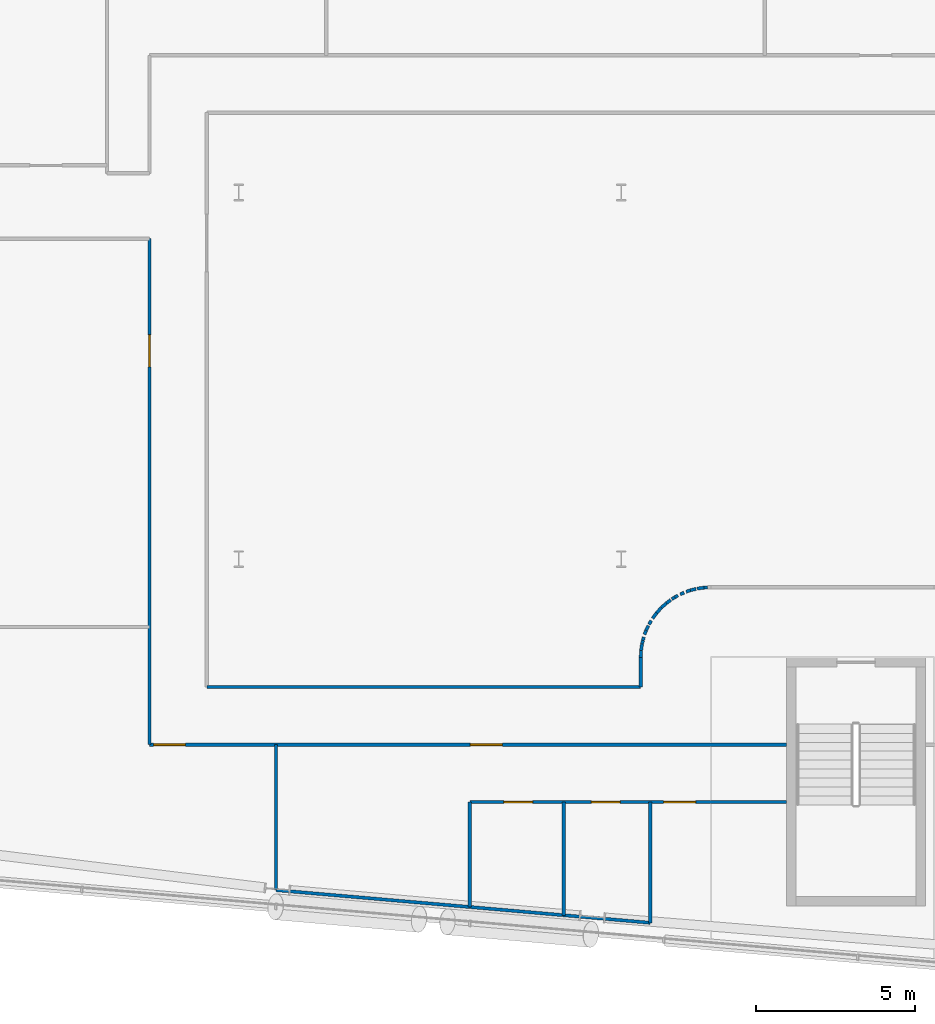
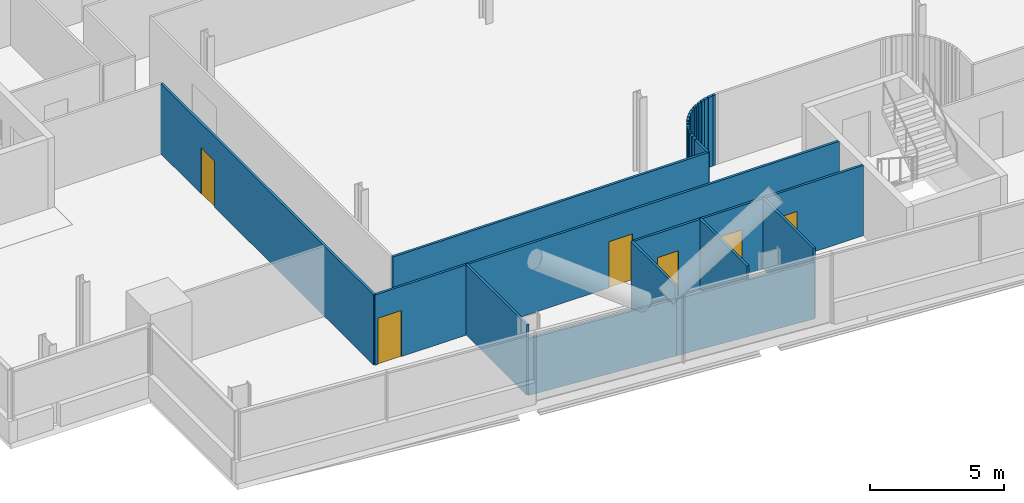
# One storey, part 14 of 31: 29 walls, 6 doors, 6 openings.
"""IFC4 building model written with IfcOpenShell, lengths in metres."""

from ifc_helpers import new_model, si_unit, direction, frame, frame_2d, origin, place, context, subcontext, project, spatial, rectangle, extrude, material, layer, layer_set, type_object, element, fill, save


model = new_model("IFC4")

# Units and contexts
model_context = context("Model", 3, precision=1e-05, world=origin(), true_north=direction((0.0, 1.0)))
body_context = subcontext(model_context, "Body", "Model", "MODEL_VIEW")
ifc_project = project(units=[si_unit("LENGTHUNIT", "METRE"), si_unit("AREAUNIT", "SQUARE_METRE"), si_unit("VOLUMEUNIT", "CUBIC_METRE"), si_unit("PLANEANGLEUNIT", "RADIAN"), si_unit("MASSUNIT", "GRAM", prefix="KILO")], contexts=[model_context])

# Site, building, storey
site_placement = place(None, origin())
site = spatial("IfcSite", under=ifc_project, at=site_placement, CompositionType="ELEMENT")
building_placement = place(site_placement, origin())
building = spatial("IfcBuilding", under=site, at=building_placement, Name="Wharfspan Tower", CompositionType="ELEMENT")
storey_placement = place(building_placement, frame((0.0, 0.0, 103.899902)))
storey = spatial("IfcBuildingStorey", under=building, at=storey_placement, Name="L23", CompositionType="ELEMENT", Elevation=103.899902)

# Wall, opening, door
ifc_material_1 = material(Name="Gypsum board on steel studs", Category="steel")
ifc_layer_1 = layer(ifc_material_1, 0.100098)
ifc_layer_set_1 = layer_set([ifc_layer_1], Name="Gypsum board on steel studs")
wall_type_1 = type_object("IfcWallType", Name="Compartment wall 100 EI 60", PredefinedType="PARTITIONING", material=ifc_layer_set_1)
wall_1_placement = place(storey_placement, frame((21.199951, 5.679932, 0.0), z_axis=(0.0, 0.0, 1.0), x_axis=(0.0, 1.0, 0.0)))
wall_1 = element("IfcWall", 1, at=wall_1_placement, inside=storey, type_object=wall_type_1, Name="Partition L23.w010", PredefinedType="PARTITIONING", context=body_context, shape_type="SweptSolid", body=[
    extrude(rectangle(XDim=15.870117, YDim=0.100098, at=frame_2d((7.935059, 0.0))), origin(), (0.0, 0.0, 1.0), 3.200195),
])
opening_1_placement = place(wall_1_placement, frame((11.850098, 0.0, 0.0)))
opening_1 = element("IfcOpeningElement", 2, at=opening_1_placement, cuts=wall_1, Name="Opening B2-11", PredefinedType="OPENING", context=body_context, shape_type="SweptSolid", body=[
    extrude(rectangle(XDim=1.0, YDim=2.100098, at=frame_2d((0.5, 1.050049))), frame((0.0, 0.060059, 0.0), z_axis=(0.0, -1.0, 0.0), x_axis=(1.0, 0.0, 0.0)), (0.0, 0.0, 1.0), 0.120117),
])
ifc_material_2 = material(Name="Fire-rated timber door leaf in steel frame", Category="steel")
door_type_1 = type_object("IfcDoorType", Name="Door 1000 FD30S Right", OperationType="SINGLE_SWING_RIGHT", PredefinedType="DOOR", material=ifc_material_2)
door_1_placement = place(opening_1_placement, origin())
door_1 = element("IfcDoor", 3, at=door_1_placement, inside=storey, type_object=door_type_1, Name="Door B2-11", OperationType="SINGLE_SWING_RIGHT", OverallHeight=2.100098, OverallWidth=1.0, PredefinedType="DOOR", context=body_context, shape_type="SweptSolid", body=[
    extrude(rectangle(XDim=1.0, YDim=2.100098, at=frame_2d((0.5, 1.050049))), frame((0.0, 0.024902, 0.0), z_axis=(0.0, -1.0, 0.0), x_axis=(1.0, 0.0, 0.0)), (0.0, 0.0, 1.0), 0.050049),
])
fill(opening_1, door_1)

# Wall, openings, doors
wall_2_placement = place(storey_placement, frame((21.199951, 5.679932, 0.0), z_axis=(0.0, 0.0, 1.0), x_axis=(1.0, 0.0, 0.0)))
wall_2 = element("IfcWall", 4, at=wall_2_placement, inside=storey, type_object=wall_type_1, Name="Partition L23.w011", PredefinedType="PARTITIONING", context=body_context, shape_type="SweptSolid", body=[
    extrude(rectangle(XDim=19.985352, YDim=0.100098, at=frame_2d((9.992676, 0.0))), origin(), (0.0, 0.0, 1.0), 3.200195),
])
opening_2_placement = place(wall_2_placement, frame((0.129883, 0.0, 0.0)))
opening_2 = element("IfcOpeningElement", 5, at=opening_2_placement, cuts=wall_2, Name="Opening B2-04", PredefinedType="OPENING", context=body_context, shape_type="SweptSolid", body=[
    extrude(rectangle(XDim=1.0, YDim=2.100098, at=frame_2d((0.5, 1.050049))), frame((0.0, 0.060059, 0.0), z_axis=(0.0, -1.0, 0.0), x_axis=(1.0, 0.0, 0.0)), (0.0, 0.0, 1.0), 0.120117),
])
opening_3_placement = place(wall_2_placement, frame((10.070068, 0.0, 0.0)))
opening_3 = element("IfcOpeningElement", 6, at=opening_3_placement, cuts=wall_2, Name="Opening B2-05", PredefinedType="OPENING", context=body_context, shape_type="SweptSolid", body=[
    extrude(rectangle(XDim=1.0, YDim=2.100098, at=frame_2d((0.5, 1.050049))), frame((0.0, 0.060059, 0.0), z_axis=(0.0, -1.0, 0.0), x_axis=(1.0, 0.0, 0.0)), (0.0, 0.0, 1.0), 0.120117),
])
door_type_2 = type_object("IfcDoorType", Name="Door 1000 FD30S Left", OperationType="SINGLE_SWING_LEFT", PredefinedType="DOOR", material=ifc_material_2)
door_2_placement = place(opening_2_placement, origin())
door_2 = element("IfcDoor", 7, at=door_2_placement, inside=storey, type_object=door_type_2, Name="Door B2-04", OperationType="SINGLE_SWING_LEFT", OverallHeight=2.100098, OverallWidth=1.0, PredefinedType="DOOR", context=body_context, shape_type="SweptSolid", body=[
    extrude(rectangle(XDim=1.0, YDim=2.100098, at=frame_2d((0.5, 1.050049))), frame((0.0, 0.024902, 0.0), z_axis=(0.0, -1.0, 0.0), x_axis=(1.0, 0.0, 0.0)), (0.0, 0.0, 1.0), 0.050049),
])
fill(opening_2, door_2)
door_3_placement = place(opening_3_placement, origin())
door_3 = element("IfcDoor", 8, at=door_3_placement, inside=storey, type_object=door_type_1, Name="Door B2-05", OperationType="SINGLE_SWING_RIGHT", OverallHeight=2.100098, OverallWidth=1.0, PredefinedType="DOOR", context=body_context, shape_type="SweptSolid", body=[
    extrude(rectangle(XDim=1.0, YDim=2.100098, at=frame_2d((0.5, 1.050049))), frame((0.0, 0.024902, 0.0), z_axis=(0.0, -1.0, 0.0), x_axis=(1.0, 0.0, 0.0)), (0.0, 0.0, 1.0), 0.050049),
])
fill(opening_3, door_3)

# Walls
wall_3_placement = place(storey_placement, frame((23.0, 7.485107, 0.0), z_axis=(0.0, 0.0, 1.0), x_axis=(1.0, 0.0, 0.0)))
element("IfcWall", 9, at=wall_3_placement, inside=storey, type_object=wall_type_1, Name="Partition L23.w015", PredefinedType="PARTITIONING", context=body_context, shape_type="SweptSolid", body=[
    extrude(rectangle(XDim=13.610107, YDim=0.100098, at=frame_2d((6.805176, 0.0))), origin(), (0.0, 0.0, 1.0), 3.200195),
])
wall_4_placement = place(storey_placement, frame((25.169922, 1.120117, 0.0), z_axis=(0.0, 0.0, 1.0), x_axis=(0.0, 1.0, 0.0)))
element("IfcWall", 10, at=wall_4_placement, inside=storey, type_object=wall_type_1, Name="Partition L23.w017", PredefinedType="PARTITIONING", context=body_context, shape_type="SweptSolid", body=[
    extrude(rectangle(XDim=4.559814, YDim=0.100098, at=frame_2d((2.279785, 0.0))), origin(), (0.0, 0.0, 1.0), 3.200195),
])
wall_5_placement = place(storey_placement, frame((36.610107, 7.485107, 0.0), z_axis=(0.0, 0.0, 1.0), x_axis=(0.0, 1.0, 0.0)))
element("IfcWall", 11, at=wall_5_placement, inside=storey, type_object=wall_type_1, Name="Partition L23.w024", PredefinedType="PARTITIONING", context=body_context, shape_type="SweptSolid", body=[
    extrude(rectangle(XDim=0.929932, YDim=0.100098, at=frame_2d((0.464844, 0.0))), origin(), (0.0, 0.0, 1.0), 3.200195),
])
wall_6_placement = place(storey_placement, frame((36.610107, 8.415039, 0.0), z_axis=(0.0, 0.0, 1.0), x_axis=(0.045458, 0.998967, 0.0)))
element("IfcWall", 12, at=wall_6_placement, inside=storey, type_object=wall_type_1, Name="Partition L23.w025", PredefinedType="PARTITIONING", context=body_context, shape_type="SweptSolid", body=[
    extrude(rectangle(XDim=0.220215, YDim=0.100098, at=frame_2d((0.110107, 0.0))), origin(), (0.0, 0.0, 1.0), 3.200195),
])
wall_7_placement = place(storey_placement, frame((36.620117, 8.63501, 0.0), z_axis=(0.0, 0.0, 1.0), x_axis=(0.140454, 0.990086, 0.0)))
element("IfcWall", 13, at=wall_7_placement, inside=storey, type_object=wall_type_1, Name="Partition L23.w026", PredefinedType="PARTITIONING", context=body_context, shape_type="SweptSolid", body=[
    extrude(rectangle(XDim=0.212158, YDim=0.100098, at=frame_2d((0.105957, 0.0))), origin(), (0.0, 0.0, 1.0), 3.200195),
])
wall_8_placement = place(storey_placement, frame((36.649902, 8.844971, 0.0), z_axis=(0.0, 0.0, 1.0), x_axis=(0.275016, 0.961438, 0.0)))
element("IfcWall", 14, at=wall_8_placement, inside=storey, type_object=wall_type_1, Name="Partition L23.w027", PredefinedType="PARTITIONING", context=body_context, shape_type="SweptSolid", body=[
    extrude(rectangle(XDim=0.109131, YDim=0.100098, at=frame_2d((0.054688, 0.0))), origin(), (0.0, 0.0, 1.0), 3.200195),
])
wall_9_placement = place(storey_placement, frame((36.679932, 8.949951, 0.0), z_axis=(0.0, 0.0, 1.0), x_axis=(0.232946, 0.972493, 0.0)))
element("IfcWall", 15, at=wall_9_placement, inside=storey, type_object=wall_type_1, Name="Partition L23.w028", PredefinedType="PARTITIONING", context=body_context, shape_type="SweptSolid", body=[
    extrude(rectangle(XDim=0.10791, YDim=0.100098, at=frame_2d((0.053955, 0.0))), origin(), (0.0, 0.0, 1.0), 3.200195),
])
wall_10_placement = place(storey_placement, frame((36.72998, 9.13501, 0.0), z_axis=(0.0, 0.0, 1.0), x_axis=(0.3382, 0.941078, 0.0)))
element("IfcWall", 16, at=wall_10_placement, inside=storey, type_object=wall_type_1, Name="Partition L23.w029", PredefinedType="PARTITIONING", context=body_context, shape_type="SweptSolid", body=[
    extrude(rectangle(XDim=0.132812, YDim=0.100098, at=frame_2d((0.066406, 0.0))), origin(), (0.0, 0.0, 1.0), 3.200195),
])
wall_11_placement = place(storey_placement, frame((36.774902, 9.26001, 0.0), z_axis=(0.0, 0.0, 1.0), x_axis=(0.44838, 0.893848, 0.0)))
element("IfcWall", 17, at=wall_11_placement, inside=storey, type_object=wall_type_1, Name="Partition L23.w030", PredefinedType="PARTITIONING", context=body_context, shape_type="SweptSolid", body=[
    extrude(rectangle(XDim=0.167725, YDim=0.100098, at=frame_2d((0.083984, 0.0))), origin(), (0.0, 0.0, 1.0), 3.200195),
])
wall_12_placement = place(storey_placement, frame((36.870117, 9.455078, 0.0), z_axis=(0.0, 0.0, 1.0), x_axis=(0.519025, 0.854758, 0.0)))
element("IfcWall", 18, at=wall_12_placement, inside=storey, type_object=wall_type_1, Name="Partition L23.w031", PredefinedType="PARTITIONING", context=body_context, shape_type="SweptSolid", body=[
    extrude(rectangle(XDim=0.134521, YDim=0.100098, at=frame_2d((0.067383, 0.0))), origin(), (0.0, 0.0, 1.0), 3.200195),
])
wall_13_placement = place(storey_placement, frame((36.97998, 9.639893, 0.0), z_axis=(0.0, 0.0, 1.0), x_axis=(0.596595, 0.802549, 0.0)))
element("IfcWall", 19, at=wall_13_placement, inside=storey, type_object=wall_type_1, Name="Partition L23.w034", PredefinedType="PARTITIONING", context=body_context, shape_type="SweptSolid", body=[
    extrude(rectangle(XDim=0.218018, YDim=0.100098, at=frame_2d((0.108887, 0.0))), origin(), (0.0, 0.0, 1.0), 3.200195),
])
wall_14_placement = place(storey_placement, frame((37.110107, 9.814941, 0.0), z_axis=(0.0, 0.0, 1.0), x_axis=(0.670589, 0.741832, 0.0)))
element("IfcWall", 20, at=wall_14_placement, inside=storey, type_object=wall_type_1, Name="Partition L23.w035", PredefinedType="PARTITIONING", context=body_context, shape_type="SweptSolid", body=[
    extrude(rectangle(XDim=0.21582, YDim=0.100098, at=frame_2d((0.10791, 0.0))), origin(), (0.0, 0.0, 1.0), 3.200195),
])
wall_15_placement = place(storey_placement, frame((37.254883, 9.975098, 0.0), z_axis=(0.0, 0.0, 1.0), x_axis=(0.741269, 0.67121, 0.0)))
element("IfcWall", 21, at=wall_15_placement, inside=storey, type_object=wall_type_1, Name="Partition L23.w036", PredefinedType="PARTITIONING", context=body_context, shape_type="SweptSolid", body=[
    extrude(rectangle(XDim=0.216064, YDim=0.100098, at=frame_2d((0.10791, 0.0))), origin(), (0.0, 0.0, 1.0), 3.200195),
])
wall_16_placement = place(storey_placement, frame((37.415039, 10.120117, 0.0), z_axis=(0.0, 0.0, 1.0), x_axis=(0.803993, 0.594635, 0.0)))
element("IfcWall", 22, at=wall_16_placement, inside=storey, type_object=wall_type_1, Name="Partition L23.w037", PredefinedType="PARTITIONING", context=body_context, shape_type="SweptSolid", body=[
    extrude(rectangle(XDim=0.167969, YDim=0.100098, at=frame_2d((0.083984, 0.0))), origin(), (0.0, 0.0, 1.0), 3.200195),
])
wall_17_placement = place(storey_placement, frame((37.584961, 10.245117, 0.0), z_axis=(0.0, 0.0, 1.0), x_axis=(0.846156, 0.532926, 0.0)))
element("IfcWall", 23, at=wall_17_placement, inside=storey, type_object=wall_type_1, Name="Partition L23.w038", PredefinedType="PARTITIONING", context=body_context, shape_type="SweptSolid", body=[
    extrude(rectangle(XDim=0.112305, YDim=0.100098, at=frame_2d((0.056152, 0.0))), origin(), (0.0, 0.0, 1.0), 3.200195),
])
wall_18_placement = place(storey_placement, frame((37.679932, 10.304932, 0.0), z_axis=(0.0, 0.0, 1.0), x_axis=(0.864661, 0.502348, 0.0)))
element("IfcWall", 24, at=wall_18_placement, inside=storey, type_object=wall_type_1, Name="Partition L23.w039", PredefinedType="PARTITIONING", context=body_context, shape_type="SweptSolid", body=[
    extrude(rectangle(XDim=0.109863, YDim=0.100098, at=frame_2d((0.054932, 0.0))), origin(), (0.0, 0.0, 1.0), 3.200195),
])
wall_19_placement = place(storey_placement, frame((37.850098, 10.39502, 0.0), z_axis=(0.0, 0.0, 1.0), x_axis=(0.909092, 0.41659, 0.0)))
element("IfcWall", 25, at=wall_19_placement, inside=storey, type_object=wall_type_1, Name="Partition L23.w040", PredefinedType="PARTITIONING", context=body_context, shape_type="SweptSolid", body=[
    extrude(rectangle(XDim=0.131836, YDim=0.100098, at=frame_2d((0.065918, 0.0))), origin(), (0.0, 0.0, 1.0), 3.200195),
])
wall_20_placement = place(storey_placement, frame((38.034912, 10.475098, 0.0), z_axis=(0.0, 0.0, 1.0), x_axis=(0.938197, 0.346098, 0.0)))
element("IfcWall", 26, at=wall_20_placement, inside=storey, type_object=wall_type_1, Name="Partition L23.w041", PredefinedType="PARTITIONING", context=body_context, shape_type="SweptSolid", body=[
    extrude(rectangle(XDim=0.143799, YDim=0.100098, at=frame_2d((0.071777, 0.0))), origin(), (0.0, 0.0, 1.0), 3.200195),
])
wall_21_placement = place(storey_placement, frame((38.169922, 10.524902, 0.0), z_axis=(0.0, 0.0, 1.0), x_axis=(0.974827, 0.222973, 0.0)))
element("IfcWall", 27, at=wall_21_placement, inside=storey, type_object=wall_type_1, Name="Partition L23.w042", PredefinedType="PARTITIONING", context=body_context, shape_type="SweptSolid", body=[
    extrude(rectangle(XDim=0.179688, YDim=0.100098, at=frame_2d((0.089844, 0.0))), origin(), (0.0, 0.0, 1.0), 3.200195),
])
wall_22_placement = place(storey_placement, frame((38.379883, 10.574951, 0.0), z_axis=(0.0, 0.0, 1.0), x_axis=(0.990394, 0.138273, 0.0)))
element("IfcWall", 28, at=wall_22_placement, inside=storey, type_object=wall_type_1, Name="Partition L23.w043", PredefinedType="PARTITIONING", context=body_context, shape_type="SweptSolid", body=[
    extrude(rectangle(XDim=0.217285, YDim=0.100098, at=frame_2d((0.108643, 0.0))), origin(), (0.0, 0.0, 1.0), 3.200195),
])
wall_23_placement = place(storey_placement, frame((38.594971, 10.60498, 0.0), z_axis=(0.0, 0.0, 1.0), x_axis=(0.996234, 0.086721, 0.0)))
element("IfcWall", 29, at=wall_23_placement, inside=storey, type_object=wall_type_1, Name="Partition L23.w044", PredefinedType="PARTITIONING", context=body_context, shape_type="SweptSolid", body=[
    extrude(rectangle(XDim=0.115479, YDim=0.100098, at=frame_2d((0.057617, 0.0))), origin(), (0.0, 0.0, 1.0), 3.200195),
])
ifc_layer_2 = layer(ifc_material_1, 0.100098)
ifc_layer_set_2 = layer_set([ifc_layer_2], Name="Gypsum board on steel studs")
wall_type_2 = type_object("IfcWallType", Name="Partition 100", PredefinedType="PARTITIONING", material=ifc_layer_set_2)
wall_24_placement = place(storey_placement, frame((31.25, 0.590088, 0.0), z_axis=(0.0, 0.0, 1.0), x_axis=(-0.996218, 0.086845, 0.0)))
element("IfcWall", 30, at=wall_24_placement, inside=storey, type_object=wall_type_2, Name="Partition L23.w019", PredefinedType="PARTITIONING", context=body_context, shape_type="SweptSolid", body=[
    extrude(rectangle(XDim=6.103027, YDim=0.100098, at=frame_2d((3.051514, 0.0))), origin(), (0.0, 0.0, 1.0), 2.580078),
])
wall_25_placement = place(storey_placement, frame((31.25, 0.590088, 0.0), z_axis=(0.0, 0.0, 1.0), x_axis=(0.0, 1.0, 0.0)))
element("IfcWall", 31, at=wall_25_placement, inside=storey, type_object=wall_type_2, Name="Partition L23.w020", PredefinedType="PARTITIONING", context=body_context, shape_type="SweptSolid", body=[
    extrude(rectangle(XDim=3.289795, YDim=0.100098, at=frame_2d((1.64502, 0.0))), origin(), (0.0, 0.0, 1.0), 3.200195),
])

# Wall, openings, doors
wall_26_placement = place(storey_placement, frame((31.25, 3.879883, 0.0), z_axis=(0.0, 0.0, 1.0), x_axis=(1.0, 0.0, 0.0)))
wall_26 = element("IfcWall", 32, at=wall_26_placement, inside=storey, type_object=wall_type_2, Name="Partition L23.w021", PredefinedType="PARTITIONING", context=body_context, shape_type="SweptSolid", body=[
    extrude(rectangle(XDim=9.935303, YDim=0.100098, at=frame_2d((4.967773, 0.0))), origin(), (0.0, 0.0, 1.0), 3.200195),
])
opening_4_placement = place(wall_26_placement, frame((1.070801, 0.0, 0.0)))
opening_4 = element("IfcOpeningElement", 33, at=opening_4_placement, cuts=wall_26, Name="Opening B2-01", PredefinedType="OPENING", context=body_context, shape_type="SweptSolid", body=[
    extrude(rectangle(XDim=0.899902, YDim=2.100098, at=frame_2d((0.449951, 1.050049))), frame((0.0, 0.060059, 0.0), z_axis=(0.0, -1.0, 0.0), x_axis=(1.0, 0.0, 0.0)), (0.0, 0.0, 1.0), 0.120117),
])
opening_5_placement = place(wall_26_placement, frame((3.815674, 0.0, 0.0)))
opening_5 = element("IfcOpeningElement", 34, at=opening_5_placement, cuts=wall_26, Name="Opening B2-02", PredefinedType="OPENING", context=body_context, shape_type="SweptSolid", body=[
    extrude(rectangle(XDim=0.899902, YDim=2.100098, at=frame_2d((0.449951, 1.050049))), frame((0.0, 0.060059, 0.0), z_axis=(0.0, -1.0, 0.0), x_axis=(1.0, 0.0, 0.0)), (0.0, 0.0, 1.0), 0.120117),
])
opening_6_placement = place(wall_26_placement, frame((6.080811, 0.0, 0.0)))
opening_6 = element("IfcOpeningElement", 35, at=opening_6_placement, cuts=wall_26, Name="Opening B2-03", PredefinedType="OPENING", context=body_context, shape_type="SweptSolid", body=[
    extrude(rectangle(XDim=1.0, YDim=2.100098, at=frame_2d((0.5, 1.050049))), frame((0.0, 0.060059, 0.0), z_axis=(0.0, -1.0, 0.0), x_axis=(1.0, 0.0, 0.0)), (0.0, 0.0, 1.0), 0.120117),
])
ifc_material_3 = material(Name="Timber door leaf in steel frame", Category="steel")
door_type_3 = type_object("IfcDoorType", Name="Door 1000 NOT RATED Right", OperationType="SINGLE_SWING_RIGHT", PredefinedType="DOOR", material=ifc_material_3)
door_4_placement = place(opening_6_placement, origin())
door_4 = element("IfcDoor", 36, at=door_4_placement, inside=storey, type_object=door_type_3, Name="Door B2-03", OperationType="SINGLE_SWING_RIGHT", OverallHeight=2.100098, OverallWidth=1.0, PredefinedType="DOOR", context=body_context, shape_type="SweptSolid", body=[
    extrude(rectangle(XDim=1.0, YDim=2.100098, at=frame_2d((0.5, 1.050049))), frame((0.0, 0.024902, 0.0), z_axis=(0.0, -1.0, 0.0), x_axis=(1.0, 0.0, 0.0)), (0.0, 0.0, 1.0), 0.050049),
])
fill(opening_6, door_4)
door_type_4 = type_object("IfcDoorType", Name="Door 900 NOT RATED Left", OperationType="SINGLE_SWING_LEFT", PredefinedType="DOOR", material=ifc_material_3)
door_5_placement = place(opening_4_placement, origin())
door_5 = element("IfcDoor", 37, at=door_5_placement, inside=storey, type_object=door_type_4, Name="Door B2-01", OperationType="SINGLE_SWING_LEFT", OverallHeight=2.100098, OverallWidth=0.899902, PredefinedType="DOOR", context=body_context, shape_type="SweptSolid", body=[
    extrude(rectangle(XDim=0.899902, YDim=2.100098, at=frame_2d((0.449951, 1.050049))), frame((0.0, 0.024902, 0.0), z_axis=(0.0, -1.0, 0.0), x_axis=(1.0, 0.0, 0.0)), (0.0, 0.0, 1.0), 0.050049),
])
fill(opening_4, door_5)
door_6_placement = place(opening_5_placement, origin())
door_6 = element("IfcDoor", 38, at=door_6_placement, inside=storey, type_object=door_type_4, Name="Door B2-02", OperationType="SINGLE_SWING_LEFT", OverallHeight=2.100098, OverallWidth=0.899902, PredefinedType="DOOR", context=body_context, shape_type="SweptSolid", body=[
    extrude(rectangle(XDim=0.899902, YDim=2.100098, at=frame_2d((0.449951, 1.050049))), frame((0.0, 0.024902, 0.0), z_axis=(0.0, -1.0, 0.0), x_axis=(1.0, 0.0, 0.0)), (0.0, 0.0, 1.0), 0.050049),
])
fill(opening_5, door_6)

# Walls
wall_27_placement = place(storey_placement, frame((34.195068, 0.330078, 0.0), z_axis=(0.0, 0.0, 1.0), x_axis=(0.0, 1.0, 0.0)))
element("IfcWall", 39, at=wall_27_placement, inside=storey, type_object=wall_type_2, Name="Partition L23.w022", PredefinedType="PARTITIONING", context=body_context, shape_type="SweptSolid", body=[
    extrude(rectangle(XDim=3.549805, YDim=0.100098, at=frame_2d((1.774902, 0.0))), origin(), (0.0, 0.0, 1.0), 3.200195),
])
wall_28_placement = place(storey_placement, frame((36.909912, 0.094971, 0.0), z_axis=(0.0, 0.0, 1.0), x_axis=(0.0, 1.0, 0.0)))
element("IfcWall", 40, at=wall_28_placement, inside=storey, type_object=wall_type_2, Name="Partition L23.w032", PredefinedType="PARTITIONING", context=body_context, shape_type="SweptSolid", body=[
    extrude(rectangle(XDim=3.784912, YDim=0.100098, at=frame_2d((1.892578, 0.0))), origin(), (0.0, 0.0, 1.0), 3.200195),
])
wall_29_placement = place(storey_placement, frame((36.909912, 0.094971, 0.0), z_axis=(0.0, 0.0, 1.0), x_axis=(-0.996195, 0.087145, 0.0)))
element("IfcWall", 41, at=wall_29_placement, inside=storey, type_object=wall_type_2, Name="Partition L23.w033", PredefinedType="PARTITIONING", context=body_context, shape_type="SweptSolid", body=[
    extrude(rectangle(XDim=5.681641, YDim=0.100098, at=frame_2d((2.84082, 0.0))), origin(), (0.0, 0.0, 1.0), 2.580078),
])

save(model, "model.ifc")
